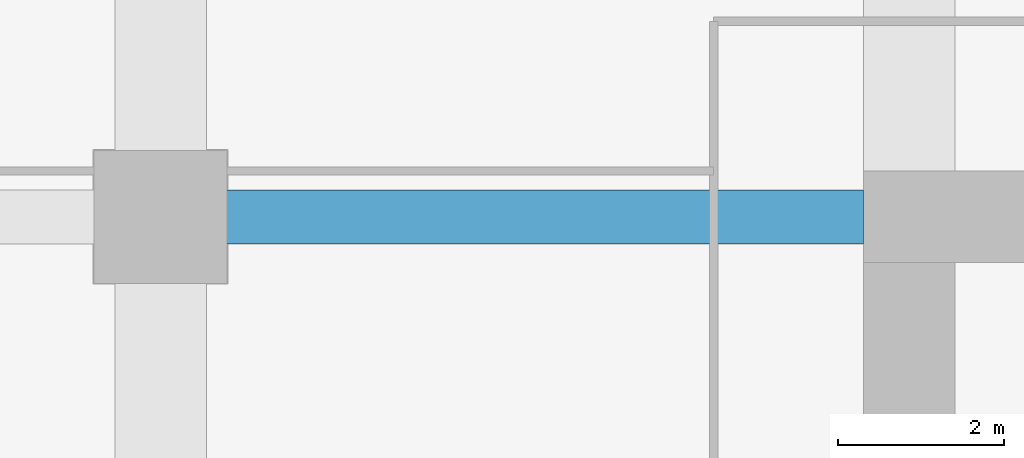
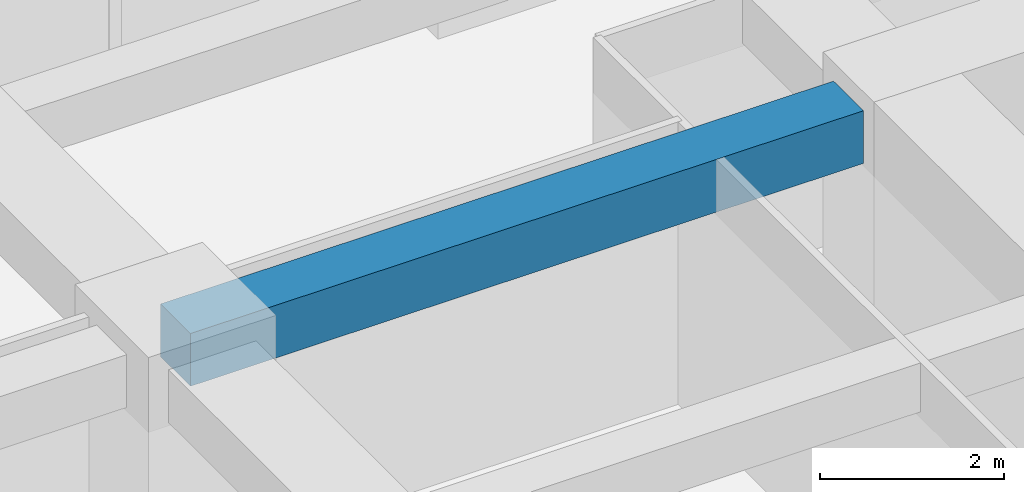
# One storey, part 21 of 33: 1 beam.
"""IFC4 building model written with IfcOpenShell, lengths in metres."""

from ifc_helpers import new_model, si_unit, direction, frame, origin, origin_2d, place, context, subcontext, project, spatial, rectangle, extrude, material, material_profile, profile_set, type_object, element, save


model = new_model("IFC4")

# Units and contexts
model_context = context("Model", 3, precision=1e-05, world=origin(), true_north=direction((0.0, 1.0)))
body_context = subcontext(model_context, "Body", "Model", "MODEL_VIEW")
ifc_project = project(units=[si_unit("LENGTHUNIT", "METRE"), si_unit("AREAUNIT", "SQUARE_METRE"), si_unit("VOLUMEUNIT", "CUBIC_METRE"), si_unit("PLANEANGLEUNIT", "RADIAN"), si_unit("MASSUNIT", "GRAM", prefix="KILO")], contexts=[model_context])

# Site, building, storey
site_placement = place(None, origin())
site = spatial("IfcSite", under=ifc_project, at=site_placement, CompositionType="ELEMENT")
building_placement = place(site_placement, origin())
building = spatial("IfcBuilding", under=site, at=building_placement, Name="Zorevar Civic Tower", CompositionType="ELEMENT")
storey_placement = place(building_placement, frame((0.0, 0.0, 178.199951171875)))
storey = spatial("IfcBuildingStorey", under=building, at=storey_placement, Name="L43", CompositionType="ELEMENT", Elevation=178.199951171875)

# Beam
ifc_material = material(Name="Concrete C50/60", Category="concrete")
ifc_material_profile = material_profile(ifc_material, rectangle(XDim=0.64990234375, YDim=0.699951171875, at=origin_2d()), Name="RC 650x700")
ifc_profile_set = profile_set([ifc_material_profile], Name="Concrete C50/60")
beam_type = type_object("IfcBeamType", Name="Beam RC 650x700", PredefinedType="BEAM", material=ifc_profile_set)
beam_placement = place(storey_placement, frame((9.0, 36.0, 3.400146484375), z_axis=(1.0, 0.0, 0.0), x_axis=(0.0, 1.0, 0.0)))
element("IfcBeam", 1, at=beam_placement, inside=storey, type_object=beam_type, Name="Girder L44", PredefinedType="BEAM", context=body_context, shape_type="SweptSolid", body=[
    extrude(rectangle(XDim=0.64990234375, YDim=0.699951171875, at=origin_2d()), origin(), (0.0, 0.0, 1.0), 8.449951171875),
])

save(model, "model.ifc")
